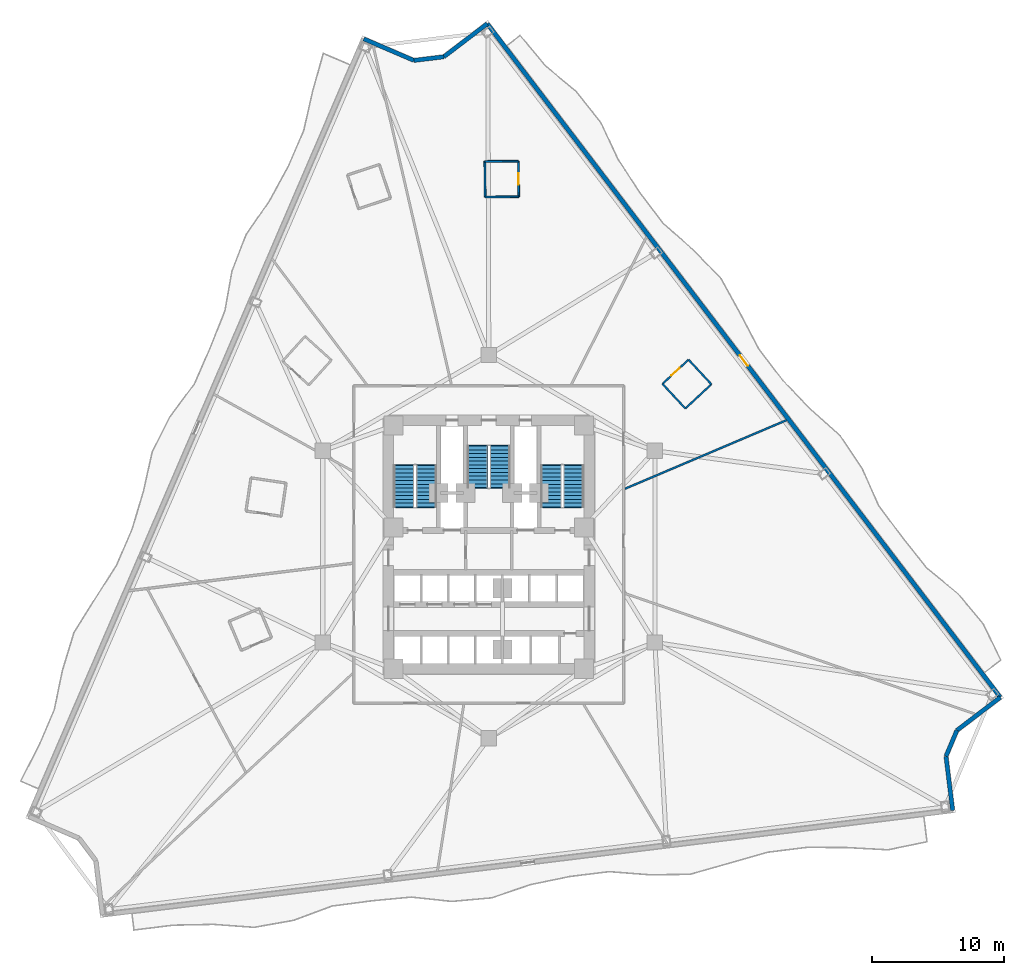
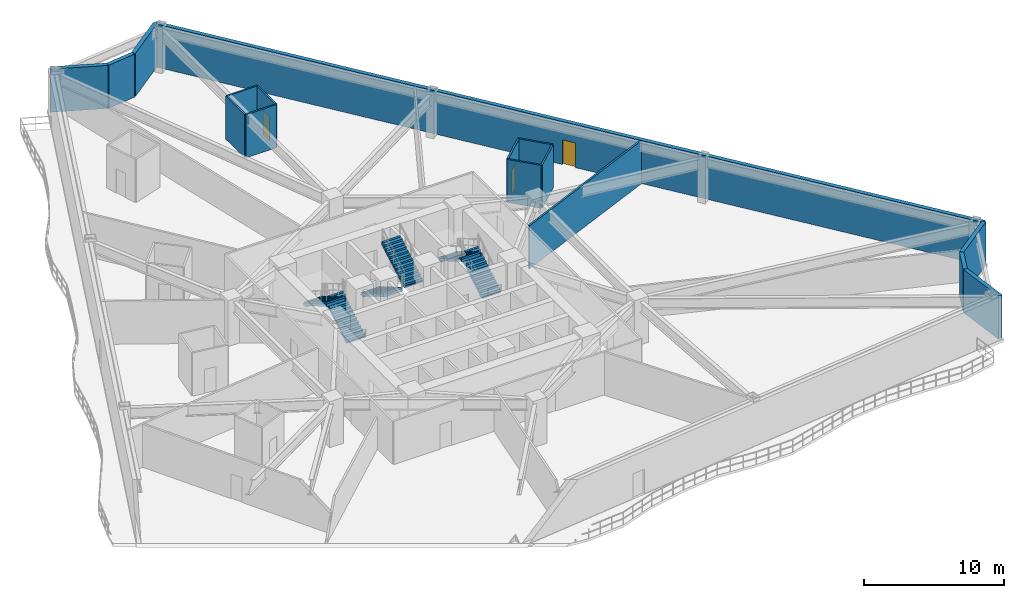
# One storey, part 6 of 12: 16 walls, 6 stair flights, 3 doors, 3 openings, 3 elements without a shape of their own.
"""IFC4 building model written with IfcOpenShell, lengths in metres."""

from ifc_helpers import new_model, si_unit, direction, frame, frame_2d, origin, place, context, subcontext, project, spatial, polyline, rectangle, outline, extrude, material, layer, layer_set, type_object, element, fill, aggregate, save


model = new_model("IFC4")

# Units and contexts
model_context = context("Model", 3, precision=1e-05, world=origin(), true_north=direction((0.0, 1.0)))
body_context = subcontext(model_context, "Body", "Model", "MODEL_VIEW")
ifc_project = project(units=[si_unit("LENGTHUNIT", "METRE"), si_unit("AREAUNIT", "SQUARE_METRE"), si_unit("VOLUMEUNIT", "CUBIC_METRE"), si_unit("PLANEANGLEUNIT", "RADIAN"), si_unit("MASSUNIT", "GRAM", prefix="KILO")], contexts=[model_context])

# Site, building, storey
site_placement = place(None, origin())
site = spatial("IfcSite", under=ifc_project, at=site_placement, CompositionType="ELEMENT")
building_placement = place(site_placement, origin())
building = spatial("IfcBuilding", under=site, at=building_placement, Name="Apsidion Concourse Tower", CompositionType="ELEMENT")
storey_placement = place(building_placement, frame((0.0, 0.0, 83.0)))
storey = spatial("IfcBuildingStorey", under=building, at=storey_placement, Name="L18", CompositionType="ELEMENT", Elevation=83.0)

# Wall, opening, door
ifc_material_1 = material(Name="Precast concrete C40/50", Category="concrete")
ifc_layer_1 = layer(ifc_material_1, 0.320068359375)
ifc_layer_set_1 = layer_set([ifc_layer_1], Name="Precast concrete C40/50")
wall_type_1 = type_object("IfcWallType", Name="WL-EXT-320", PredefinedType="STANDARD", material=ifc_layer_set_1)
wall_1_placement = place(storey_placement, frame((-0.115234375, 39.555419921875, 0.0), z_axis=(0.0, 0.0, 1.0), x_axis=(0.605877389385, -0.795558036243, 0.0)))
wall_1 = element("IfcWall", 1, at=wall_1_placement, inside=storey, type_object=wall_type_1, Name="L18 Precast Stone Facade Wall 01", PredefinedType="STANDARD", context=body_context, shape_type="SweptSolid", body=[
    extrude(rectangle(XDim=64.058349609375, YDim=0.320068359375, at=frame_2d((32.029296875, 0.0))), origin(), (0.0, 0.0, 1.0), 3.75),
])
opening_1_placement = place(wall_1_placement, frame((31.529296875, 0.0, 0.0)))
opening_1 = element("IfcOpeningElement", 2, at=opening_1_placement, cuts=wall_1, Name="Opening D-T1L", PredefinedType="OPENING", context=body_context, shape_type="SweptSolid", body=[
    extrude(rectangle(XDim=1.0, YDim=2.14990234375, at=frame_2d((0.5, 1.074951171875))), frame((0.0, 0.169921875, 0.0), z_axis=(0.0, -1.0, 0.0), x_axis=(1.0, 0.0, 0.0)), (0.0, 0.0, 1.0), 0.340087890625),
])
ifc_material_2 = material(Name="Anodised aluminium EN AW-6063 T6", Category="aluminium")
door_type_1 = type_object("IfcDoorType", Name="DR-TER-1022L", OperationType="SINGLE_SWING_LEFT", PredefinedType="DOOR", material=ifc_material_2)
door_1_placement = place(opening_1_placement, origin())
door_1 = element("IfcDoor", 3, at=door_1_placement, inside=storey, type_object=door_type_1, Name="L18 Balcony Access Door 3", OperationType="SINGLE_SWING_LEFT", OverallHeight=2.14990234375, OverallWidth=1.0, PredefinedType="DOOR", context=body_context, shape_type="SweptSolid", body=[
    extrude(rectangle(XDim=1.0, YDim=2.14990234375, at=frame_2d((0.5, 1.074951171875))), frame((0.0, 0.02490234375, 0.0), z_axis=(0.0, -1.0, 0.0), x_axis=(1.0, 0.0, 0.0)), (0.0, 0.0, 1.0), 0.050048828125),
])
fill(opening_1, door_1)

# Walls
wall_2_placement = place(storey_placement, frame((38.6962890625, -11.40673828125, 0.0), z_axis=(0.0, 0.0, 1.0), x_axis=(-0.795549815011, -0.605888184269, 0.0)))
element("IfcWall", 4, at=wall_2_placement, inside=storey, type_object=wall_type_1, Name="L18 Precast Stone Facade Wall 02", PredefinedType="STANDARD", context=body_context, shape_type="SweptSolid", body=[
    extrude(rectangle(XDim=4.128173828125, YDim=0.320068359375, at=frame_2d((2.06396484375, 0.0))), origin(), (0.0, 0.0, 1.0), 3.75),
])
wall_3_placement = place(storey_placement, frame((35.412109375, -13.907958984375, 0.0), z_axis=(0.0, 0.0, 1.0), x_axis=(-0.388344964834, -0.921514073841, 0.0)))
element("IfcWall", 5, at=wall_3_placement, inside=storey, type_object=wall_type_1, Name="L18 Precast Stone Facade Wall 03", PredefinedType="STANDARD", context=body_context, shape_type="SweptSolid", body=[
    extrude(rectangle(XDim=2.122314453125, YDim=0.320068359375, at=frame_2d((1.06103515625, 0.0))), origin(), (0.0, 0.0, 1.0), 3.75),
])
wall_4_placement = place(storey_placement, frame((34.587890625, -15.86376953125, 0.0), z_axis=(0.0, 0.0, 1.0), x_axis=(0.12182895116, -0.992551110351, 0.0)))
element("IfcWall", 6, at=wall_4_placement, inside=storey, type_object=wall_type_1, Name="L18 Precast Stone Facade Wall 04", PredefinedType="STANDARD", context=body_context, shape_type="SweptSolid", body=[
    extrude(rectangle(XDim=4.128173828125, YDim=0.320068359375, at=frame_2d((2.06396484375, 0.0))), origin(), (0.0, 0.0, 1.0), 3.75),
])
wall_5_placement = place(storey_placement, frame((-9.45751953125, 38.408203125, 0.0), z_axis=(0.0, 0.0, 1.0), x_axis=(0.918510754284, -0.395395996774, 0.0)))
element("IfcWall", 7, at=wall_5_placement, inside=storey, type_object=wall_type_1, Name="L18 Precast Stone Facade Wall 10", PredefinedType="STANDARD", context=body_context, shape_type="SweptSolid", body=[
    extrude(rectangle(XDim=4.12890625, YDim=0.320068359375, at=frame_2d((2.064453125, 0.0))), origin(), (0.0, 0.0, 1.0), 3.75),
])
wall_6_placement = place(storey_placement, frame((-5.6650390625, 36.775634765625, 0.0), z_axis=(0.0, 0.0, 1.0), x_axis=(0.992547088217, 0.121861715369, 0.0)))
element("IfcWall", 8, at=wall_6_placement, inside=storey, type_object=wall_type_1, Name="L18 Precast Stone Facade Wall 11", PredefinedType="STANDARD", context=body_context, shape_type="SweptSolid", body=[
    extrude(rectangle(XDim=2.281982421875, YDim=0.320068359375, at=frame_2d((1.14111328125, 0.0))), origin(), (0.0, 0.0, 1.0), 3.75),
])
wall_7_placement = place(storey_placement, frame((-3.400146484375, 37.0537109375, 0.0), z_axis=(0.0, 0.0, 1.0), x_axis=(0.795557931523, 0.605877526891, 0.0)))
element("IfcWall", 9, at=wall_7_placement, inside=storey, type_object=wall_type_1, Name="L18 Precast Stone Facade Wall 12", PredefinedType="STANDARD", context=body_context, shape_type="SweptSolid", body=[
    extrude(rectangle(XDim=4.129150390625, YDim=0.320068359375, at=frame_2d((2.064453125, 0.0))), origin(), (0.0, 0.0, 1.0), 3.75),
])
ifc_material_3 = material(Name="Gypsum plasterboard partition")
ifc_layer_2 = layer(ifc_material_3, 0.139892578125)
ifc_layer_set_2 = layer_set([ifc_layer_2], Name="Gypsum plasterboard partition")
wall_type_2 = type_object("IfcWallType", Name="WL-INT-PAR-140", PredefinedType="PARTITIONING", material=ifc_layer_set_2)
wall_8_placement = place(storey_placement, frame((14.869140625, 10.44580078125, 0.0), z_axis=(0.0, 0.0, 1.0), x_axis=(0.732544529416, 0.680719114189, 0.0)))
element("IfcWall", 10, at=wall_8_placement, inside=storey, type_object=wall_type_2, Name="L18 Interior Partition WL-L18-POD-ENS05-S1", PredefinedType="PARTITIONING", context=body_context, shape_type="SweptSolid", body=[
    extrude(rectangle(XDim=2.68994140625, YDim=0.139892578125, at=frame_2d((1.344970703125, 0.0))), origin(), (0.0, 0.0, 1.0), 3.75),
])
wall_9_placement = place(storey_placement, frame((16.839599609375, 12.27685546875, 0.0), z_axis=(0.0, 0.0, 1.0), x_axis=(-0.680679633355, 0.732581215113, 0.0)))
element("IfcWall", 11, at=wall_9_placement, inside=storey, type_object=wall_type_2, Name="L18 Interior Partition WL-L18-POD-ENS05-S2", PredefinedType="PARTITIONING", context=body_context, shape_type="SweptSolid", body=[
    extrude(rectangle(XDim=2.5400390625, YDim=0.139892578125, at=frame_2d((1.27001953125, 0.0))), origin(), (0.0, 0.0, 1.0), 3.75),
])

# Wall, opening, door
wall_10_placement = place(storey_placement, frame((15.110595703125, 14.1376953125, 0.0), z_axis=(0.0, 0.0, 1.0), x_axis=(-0.732499271207, -0.680767814809, 0.0)))
wall_10 = element("IfcWall", 12, at=wall_10_placement, inside=storey, type_object=wall_type_2, Name="L18 Interior Partition WL-L18-POD-ENS05-S3", PredefinedType="PARTITIONING", context=body_context, shape_type="SweptSolid", body=[
    extrude(rectangle(XDim=2.68994140625, YDim=0.139892578125, at=frame_2d((1.344970703125, 0.0))), origin(), (0.0, 0.0, 1.0), 3.75),
])
opening_2_placement = place(wall_10_placement, frame((0.905029296875, 0.0, 0.0)))
opening_2 = element("IfcOpeningElement", 13, at=opening_2_placement, cuts=wall_10, Name="Opening D-03R", PredefinedType="OPENING", context=body_context, shape_type="SweptSolid", body=[
    extrude(rectangle(XDim=0.8798828125, YDim=2.10009765625, at=frame_2d((0.43994140625, 1.050048828125))), frame((0.0, 0.080078125, 0.0), z_axis=(0.0, -1.0, 0.0), x_axis=(1.0, 0.0, 0.0)), (0.0, 0.0, 1.0), 0.159912109375),
])
door_type_2 = type_object("IfcDoorType", Name="DR-INT-D03R", OperationType="SINGLE_SWING_RIGHT", PredefinedType="DOOR", material=ifc_material_2)
door_2_placement = place(opening_2_placement, origin())
door_2 = element("IfcDoor", 14, at=door_2_placement, inside=storey, type_object=door_type_2, Name="L18 Guest En-Suite Bathroom Door ENS05", OperationType="SINGLE_SWING_RIGHT", OverallHeight=2.10009765625, OverallWidth=0.8798828125, PredefinedType="DOOR", context=body_context, shape_type="SweptSolid", body=[
    extrude(rectangle(XDim=0.8798828125, YDim=2.10009765625, at=frame_2d((0.43994140625, 1.050048828125))), frame((0.0, 0.02490234375, 0.0), z_axis=(0.0, -1.0, 0.0), x_axis=(1.0, 0.0, 0.0)), (0.0, 0.0, 1.0), 0.050048828125),
])
fill(opening_2, door_2)

# Wall
wall_11_placement = place(storey_placement, frame((13.14013671875, 12.306396484375, 0.0), z_axis=(0.0, 0.0, 1.0), x_axis=(0.680727562838, -0.732536678394, 0.0)))
element("IfcWall", 15, at=wall_11_placement, inside=storey, type_object=wall_type_2, Name="L18 Interior Partition WL-L18-POD-ENS05-S4", PredefinedType="PARTITIONING", context=body_context, shape_type="SweptSolid", body=[
    extrude(rectangle(XDim=2.5400390625, YDim=0.139892578125, at=frame_2d((1.27001953125, 0.0))), origin(), (0.0, 0.0, 1.0), 3.75),
])

# Wall, opening, door
wall_12_placement = place(storey_placement, frame((2.2626953125, 26.462890625, 0.0), z_axis=(0.0, 0.0, 1.0), x_axis=(-0.006988393513, 0.99997558088, 0.0)))
wall_12 = element("IfcWall", 16, at=wall_12_placement, inside=storey, type_object=wall_type_2, Name="L18 Interior Partition WL-L18-POD-ENS06-S1", PredefinedType="PARTITIONING", context=body_context, shape_type="SweptSolid", body=[
    extrude(rectangle(XDim=2.68994140625, YDim=0.139892578125, at=frame_2d((1.344970703125, 0.0))), origin(), (0.0, 0.0, 1.0), 3.75),
])
opening_3_placement = place(wall_12_placement, frame((0.905029296875, 0.0, 0.0)))
opening_3 = element("IfcOpeningElement", 17, at=opening_3_placement, cuts=wall_12, Name="Opening D-03L", PredefinedType="OPENING", context=body_context, shape_type="SweptSolid", body=[
    extrude(rectangle(XDim=0.8798828125, YDim=2.10009765625, at=frame_2d((0.43994140625, 1.050048828125))), frame((0.0, 0.080078125, 0.0), z_axis=(0.0, -1.0, 0.0), x_axis=(1.0, 0.0, 0.0)), (0.0, 0.0, 1.0), 0.159912109375),
])
door_type_3 = type_object("IfcDoorType", Name="DR-INT-D03L", OperationType="SINGLE_SWING_LEFT", PredefinedType="DOOR", material=ifc_material_2)
door_3_placement = place(opening_3_placement, origin())
door_3 = element("IfcDoor", 18, at=door_3_placement, inside=storey, type_object=door_type_3, Name="L18 Guest En-Suite Bathroom Door ENS06", OperationType="SINGLE_SWING_LEFT", OverallHeight=2.10009765625, OverallWidth=0.8798828125, PredefinedType="DOOR", context=body_context, shape_type="SweptSolid", body=[
    extrude(rectangle(XDim=0.8798828125, YDim=2.10009765625, at=frame_2d((0.43994140625, 1.050048828125))), frame((0.0, 0.02490234375, 0.0), z_axis=(0.0, -1.0, 0.0), x_axis=(1.0, 0.0, 0.0)), (0.0, 0.0, 1.0), 0.050048828125),
])
fill(opening_3, door_3)

# Walls
wall_13_placement = place(storey_placement, frame((2.243896484375, 29.15283203125, 0.0), z_axis=(0.0, 0.0, 1.0), x_axis=(-0.999975385047, -0.007016359391, 0.0)))
element("IfcWall", 19, at=wall_13_placement, inside=storey, type_object=wall_type_2, Name="L18 Interior Partition WL-L18-POD-ENS06-S2", PredefinedType="PARTITIONING", context=body_context, shape_type="SweptSolid", body=[
    extrude(rectangle(XDim=2.5400390625, YDim=0.139892578125, at=frame_2d((1.27001953125, 0.0))), origin(), (0.0, 0.0, 1.0), 3.75),
])
wall_14_placement = place(storey_placement, frame((-0.296142578125, 29.135009765625, 0.0), z_axis=(0.0, 0.0, 1.0), x_axis=(0.00698902781, -0.999975576447, 0.0)))
element("IfcWall", 20, at=wall_14_placement, inside=storey, type_object=wall_type_2, Name="L18 Interior Partition WL-L18-POD-ENS06-S3", PredefinedType="PARTITIONING", context=body_context, shape_type="SweptSolid", body=[
    extrude(rectangle(XDim=2.689697265625, YDim=0.139892578125, at=frame_2d((1.3447265625, 0.0))), origin(), (0.0, 0.0, 1.0), 3.75),
])
wall_15_placement = place(storey_placement, frame((-0.27734375, 26.4453125, 0.0), z_axis=(0.0, 0.0, 1.0), x_axis=(0.999976054787, 0.006920249514, 0.0)))
element("IfcWall", 21, at=wall_15_placement, inside=storey, type_object=wall_type_2, Name="L18 Interior Partition WL-L18-POD-ENS06-S4", PredefinedType="PARTITIONING", context=body_context, shape_type="SweptSolid", body=[
    extrude(rectangle(XDim=2.5400390625, YDim=0.139892578125, at=frame_2d((1.27001953125, 0.0))), origin(), (0.0, 0.0, 1.0), 3.75),
])
ifc_layer_3 = layer(ifc_material_3, 0.14990234375)
ifc_layer_set_3 = layer_set([ifc_layer_3], Name="Gypsum plasterboard partition")
wall_type_3 = type_object("IfcWallType", Name="WL-INT-PAR-150", PredefinedType="PARTITIONING", material=ifc_layer_set_3)
wall_16_placement = place(storey_placement, frame((10.304931640625, 4.374267578125, 0.0), z_axis=(0.0, 0.0, 1.0), x_axis=(0.920506948121, 0.390726193723, 0.0)))
element("IfcWall", 22, at=wall_16_placement, inside=storey, type_object=wall_type_3, Name="L18 Interior Partition WL-L18-RAD-01-1", PredefinedType="PARTITIONING", context=body_context, shape_type="SweptSolid", body=[
    extrude(rectangle(XDim=13.260986328125, YDim=0.14990234375, at=frame_2d((6.63037109375, 0.0))), origin(), (0.0, 0.0, 1.0), 3.75),
])

# Stair, stair flights
stair_type = type_object("IfcStairType", Name="ST-DL-1550", PredefinedType="HALF_TURN_STAIR", material=ifc_material_1)
stair_1_placement = place(storey_placement, origin())
stair_1 = element("IfcStair", 23, at=stair_1_placement, inside=storey, type_object=stair_type, Name="L18 Protected Core Exit Stair ST1", PredefinedType="HALF_TURN_STAIR")
stair_flight_type = type_object("IfcStairFlightType", Name="SFL-RC-1550", PredefinedType="STRAIGHT", material=ifc_material_1)
stair_flight_1_placement = place(storey_placement, frame((-4.72509765625, 3.0, 0.0), z_axis=(0.0, 0.0, 1.0), x_axis=(0.0, 1.0, 0.0)))
stair_flight_1 = element("IfcStairFlight", 24, at=stair_flight_1_placement, type_object=stair_flight_type, Name="ST1 flight 1", NumberOfRisers=12, NumberOfTreads=11, PredefinedType="STRAIGHT", RiserHeight=0.166666667, TreadLength=0.285, context=body_context, shape_type="SweptSolid", body=[
    extrude(outline(polyline([(-0.080078125, -0.1123046875), (-0.080078125, 0.0), (0.0, 0.0), (0.0, 0.166748046875), (0.284912109375, 0.166748046875), (0.284912109375, 0.333251953125), (0.570068359375, 0.333251953125), (0.570068359375, 0.5), (0.85498046875, 0.5), (0.85498046875, 0.666748046875), (1.139892578125, 0.666748046875), (1.139892578125, 0.833251953125), (1.425048828125, 0.833251953125), (1.425048828125, 1.0), (1.7099609375, 1.0), (1.7099609375, 1.166748046875), (1.9951171875, 1.166748046875), (1.9951171875, 1.333251953125), (2.280029296875, 1.333251953125), (2.280029296875, 1.5), (2.56494140625, 1.5), (2.56494140625, 1.666748046875), (2.85009765625, 1.666748046875), (2.85009765625, 1.833251953125), (3.135009765625, 1.833251953125), (3.135009765625, 2.0), (3.215087890625, 1.916748046875), (3.215087890625, 1.65966796875), (3.135009765625, 1.65966796875), (0.296875, 0.0), (0.296875, -0.1123046875), (-0.080078125, -0.1123046875)])), frame((0.0, 0.77490234375, 0.0), z_axis=(0.0, -1.0, 0.0), x_axis=(1.0, 0.0, 0.0)), (0.0, 0.0, 1.0), 1.550048828125),
])
stair_flight_2_placement = place(storey_placement, frame((-6.425048828125, 6.135009765625, 2.0), z_axis=(0.0, 0.0, 1.0), x_axis=(0.0, -1.0, 0.0)))
stair_flight_2 = element("IfcStairFlight", 25, at=stair_flight_2_placement, type_object=stair_flight_type, Name="ST1 flight 2", NumberOfRisers=12, NumberOfTreads=11, PredefinedType="STRAIGHT", RiserHeight=0.166666667, TreadLength=0.285, context=body_context, shape_type="SweptSolid", body=[
    extrude(outline(polyline([(-0.080078125, -0.1123046875), (-0.080078125, 0.0), (0.0, 0.0), (0.0, 0.166748046875), (0.284912109375, 0.166748046875), (0.284912109375, 0.333251953125), (0.570068359375, 0.333251953125), (0.570068359375, 0.5), (0.85498046875, 0.5), (0.85498046875, 0.666748046875), (1.139892578125, 0.666748046875), (1.139892578125, 0.833251953125), (1.425048828125, 0.833251953125), (1.425048828125, 1.0), (1.7099609375, 1.0), (1.7099609375, 1.166748046875), (1.9951171875, 1.166748046875), (1.9951171875, 1.333251953125), (2.280029296875, 1.333251953125), (2.280029296875, 1.5), (2.56494140625, 1.5), (2.56494140625, 1.666748046875), (2.85009765625, 1.666748046875), (2.85009765625, 1.833251953125), (3.135009765625, 1.833251953125), (3.135009765625, 2.0), (3.215087890625, 1.916748046875), (3.215087890625, 1.65966796875), (3.135009765625, 1.65966796875), (0.296875, 0.0), (0.296875, -0.1123046875), (-0.080078125, -0.1123046875)])), frame((0.0, 0.77490234375, 0.0), z_axis=(0.0, -1.0, 0.0), x_axis=(1.0, 0.0, 0.0)), (0.0, 0.0, 1.0), 1.550048828125),
])
aggregate(stair_1, [stair_flight_1, stair_flight_2])

stair_2_placement = place(storey_placement, origin())
stair_2 = element("IfcStair", 26, at=stair_2_placement, inside=storey, type_object=stair_type, Name="L18 Protected Core Exit Stair ST2", PredefinedType="HALF_TURN_STAIR")
stair_flight_3_placement = place(storey_placement, frame((6.425048828125, 3.0, 0.0), z_axis=(0.0, 0.0, 1.0), x_axis=(0.0, 1.0, 0.0)))
stair_flight_3 = element("IfcStairFlight", 27, at=stair_flight_3_placement, type_object=stair_flight_type, Name="ST2 flight 1", NumberOfRisers=12, NumberOfTreads=11, PredefinedType="STRAIGHT", RiserHeight=0.166666667, TreadLength=0.285, context=body_context, shape_type="SweptSolid", body=[
    extrude(outline(polyline([(-0.080078125, -0.1123046875), (-0.080078125, 0.0), (0.0, 0.0), (0.0, 0.166748046875), (0.284912109375, 0.166748046875), (0.284912109375, 0.333251953125), (0.570068359375, 0.333251953125), (0.570068359375, 0.5), (0.85498046875, 0.5), (0.85498046875, 0.666748046875), (1.139892578125, 0.666748046875), (1.139892578125, 0.833251953125), (1.425048828125, 0.833251953125), (1.425048828125, 1.0), (1.7099609375, 1.0), (1.7099609375, 1.166748046875), (1.9951171875, 1.166748046875), (1.9951171875, 1.333251953125), (2.280029296875, 1.333251953125), (2.280029296875, 1.5), (2.56494140625, 1.5), (2.56494140625, 1.666748046875), (2.85009765625, 1.666748046875), (2.85009765625, 1.833251953125), (3.135009765625, 1.833251953125), (3.135009765625, 2.0), (3.215087890625, 1.916748046875), (3.215087890625, 1.65966796875), (3.135009765625, 1.65966796875), (0.296875, 0.0), (0.296875, -0.1123046875), (-0.080078125, -0.1123046875)])), frame((0.0, 0.77490234375, 0.0), z_axis=(0.0, -1.0, 0.0), x_axis=(1.0, 0.0, 0.0)), (0.0, 0.0, 1.0), 1.550048828125),
])
stair_flight_4_placement = place(storey_placement, frame((4.72509765625, 6.135009765625, 2.0), z_axis=(0.0, 0.0, 1.0), x_axis=(0.0, -1.0, 0.0)))
stair_flight_4 = element("IfcStairFlight", 28, at=stair_flight_4_placement, type_object=stair_flight_type, Name="ST2 flight 2", NumberOfRisers=12, NumberOfTreads=11, PredefinedType="STRAIGHT", RiserHeight=0.166666667, TreadLength=0.285, context=body_context, shape_type="SweptSolid", body=[
    extrude(outline(polyline([(-0.080078125, -0.1123046875), (-0.080078125, 0.0), (0.0, 0.0), (0.0, 0.166748046875), (0.284912109375, 0.166748046875), (0.284912109375, 0.333251953125), (0.570068359375, 0.333251953125), (0.570068359375, 0.5), (0.85498046875, 0.5), (0.85498046875, 0.666748046875), (1.139892578125, 0.666748046875), (1.139892578125, 0.833251953125), (1.425048828125, 0.833251953125), (1.425048828125, 1.0), (1.7099609375, 1.0), (1.7099609375, 1.166748046875), (1.9951171875, 1.166748046875), (1.9951171875, 1.333251953125), (2.280029296875, 1.333251953125), (2.280029296875, 1.5), (2.56494140625, 1.5), (2.56494140625, 1.666748046875), (2.85009765625, 1.666748046875), (2.85009765625, 1.833251953125), (3.135009765625, 1.833251953125), (3.135009765625, 2.0), (3.215087890625, 1.916748046875), (3.215087890625, 1.65966796875), (3.135009765625, 1.65966796875), (0.296875, 0.0), (0.296875, -0.1123046875), (-0.080078125, -0.1123046875)])), frame((0.0, 0.77490234375, 0.0), z_axis=(0.0, -1.0, 0.0), x_axis=(1.0, 0.0, 0.0)), (0.0, 0.0, 1.0), 1.550048828125),
])
aggregate(stair_2, [stair_flight_3, stair_flight_4])

stair_3_placement = place(storey_placement, origin())
stair_3 = element("IfcStair", 29, at=stair_3_placement, inside=storey, type_object=stair_type, Name="L18 Protected Core Exit Stair ST3", PredefinedType="HALF_TURN_STAIR")
stair_flight_5_placement = place(storey_placement, frame((-0.85009765625, 7.60009765625, 0.0), z_axis=(0.0, 0.0, 1.0), x_axis=(0.0, -1.0, 0.0)))
stair_flight_5 = element("IfcStairFlight", 30, at=stair_flight_5_placement, type_object=stair_flight_type, Name="ST3 flight 1", NumberOfRisers=12, NumberOfTreads=11, PredefinedType="STRAIGHT", RiserHeight=0.166666667, TreadLength=0.285, context=body_context, shape_type="SweptSolid", body=[
    extrude(outline(polyline([(-0.080078125, -0.1123046875), (-0.080078125, 0.0), (0.0, 0.0), (0.0, 0.166748046875), (0.284912109375, 0.166748046875), (0.284912109375, 0.333251953125), (0.570068359375, 0.333251953125), (0.570068359375, 0.5), (0.85498046875, 0.5), (0.85498046875, 0.666748046875), (1.139892578125, 0.666748046875), (1.139892578125, 0.833251953125), (1.425048828125, 0.833251953125), (1.425048828125, 1.0), (1.7099609375, 1.0), (1.7099609375, 1.166748046875), (1.9951171875, 1.166748046875), (1.9951171875, 1.333251953125), (2.280029296875, 1.333251953125), (2.280029296875, 1.5), (2.56494140625, 1.5), (2.56494140625, 1.666748046875), (2.85009765625, 1.666748046875), (2.85009765625, 1.833251953125), (3.135009765625, 1.833251953125), (3.135009765625, 2.0), (3.215087890625, 1.916748046875), (3.215087890625, 1.65966796875), (3.135009765625, 1.65966796875), (0.296875, 0.0), (0.296875, -0.1123046875), (-0.080078125, -0.1123046875)])), frame((0.0, 0.77490234375, 0.0), z_axis=(0.0, -1.0, 0.0), x_axis=(1.0, 0.0, 0.0)), (0.0, 0.0, 1.0), 1.550048828125),
])
stair_flight_6_placement = place(storey_placement, frame((0.85009765625, 4.465087890625, 2.0), z_axis=(0.0, 0.0, 1.0), x_axis=(0.0, 1.0, 0.0)))
stair_flight_6 = element("IfcStairFlight", 31, at=stair_flight_6_placement, type_object=stair_flight_type, Name="ST3 flight 2", NumberOfRisers=12, NumberOfTreads=11, PredefinedType="STRAIGHT", RiserHeight=0.166666667, TreadLength=0.285, context=body_context, shape_type="SweptSolid", body=[
    extrude(outline(polyline([(-0.080078125, -0.1123046875), (-0.080078125, 0.0), (0.0, 0.0), (0.0, 0.166748046875), (0.284912109375, 0.166748046875), (0.284912109375, 0.333251953125), (0.570068359375, 0.333251953125), (0.570068359375, 0.5), (0.85498046875, 0.5), (0.85498046875, 0.666748046875), (1.139892578125, 0.666748046875), (1.139892578125, 0.833251953125), (1.425048828125, 0.833251953125), (1.425048828125, 1.0), (1.7099609375, 1.0), (1.7099609375, 1.166748046875), (1.9951171875, 1.166748046875), (1.9951171875, 1.333251953125), (2.280029296875, 1.333251953125), (2.280029296875, 1.5), (2.56494140625, 1.5), (2.56494140625, 1.666748046875), (2.85009765625, 1.666748046875), (2.85009765625, 1.833251953125), (3.135009765625, 1.833251953125), (3.135009765625, 2.0), (3.215087890625, 1.916748046875), (3.215087890625, 1.65966796875), (3.135009765625, 1.65966796875), (0.296875, 0.0), (0.296875, -0.1123046875), (-0.080078125, -0.1123046875)])), frame((0.0, 0.77490234375, 0.0), z_axis=(0.0, -1.0, 0.0), x_axis=(1.0, 0.0, 0.0)), (0.0, 0.0, 1.0), 1.550048828125),
])
aggregate(stair_3, [stair_flight_5, stair_flight_6])

save(model, "model.ifc")
